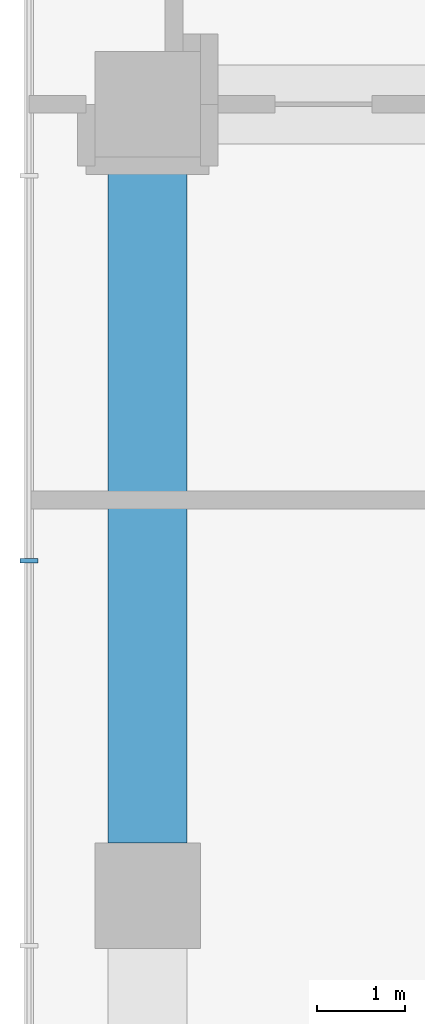
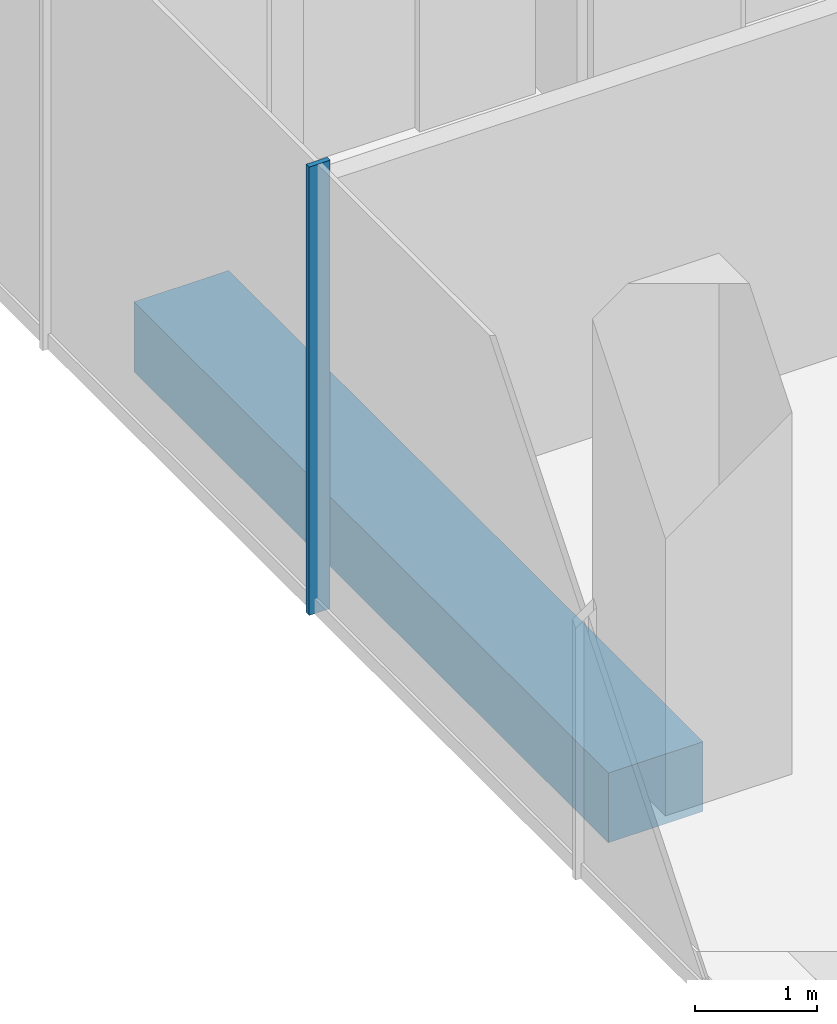
# One storey, part 8 of 43: 1 beam, 1 member, 1 element without a shape of its own.
"""IFC4 building model written with IfcOpenShell, lengths in metres."""

from ifc_helpers import new_model, si_unit, direction, frame, origin, origin_2d, place, context, subcontext, project, spatial, rectangle, extrude, material, layer, layer_set, material_profile, profile_set, type_object, element, aggregate, save


model = new_model("IFC4")

# Units and contexts
model_context = context("Model", 3, precision=1e-05, world=origin(), true_north=direction((0.0, 1.0)))
body_context = subcontext(model_context, "Body", "Model", "MODEL_VIEW")
ifc_project = project(units=[si_unit("LENGTHUNIT", "METRE"), si_unit("AREAUNIT", "SQUARE_METRE"), si_unit("VOLUMEUNIT", "CUBIC_METRE"), si_unit("PLANEANGLEUNIT", "RADIAN"), si_unit("MASSUNIT", "GRAM", prefix="KILO")], contexts=[model_context])

# Site, building, storey
site_placement = place(None, origin())
site = spatial("IfcSite", under=ifc_project, at=site_placement, CompositionType="ELEMENT")
building_placement = place(site_placement, origin())
building = spatial("IfcBuilding", under=site, at=building_placement, Name="Plateau Cross Towers", CompositionType="ELEMENT")
storey_placement = place(building_placement, frame((0.0, 0.0, 12.800048828125)))
storey = spatial("IfcBuildingStorey", under=building, at=storey_placement, Name="L02", CompositionType="ELEMENT", Elevation=12.800048828125)

# Curtain wall, member
ifc_material_1 = material(Name="Dark low-iron laminated glass", Category="glass")
ifc_layer = layer(ifc_material_1, 0.300048828125)
ifc_layer_set = layer_set([ifc_layer], Name="Dark low-iron laminated glass")
curtain_wall_type = type_object("IfcCurtainWallType", Name="Curtain wall structural silicone CW-C", PredefinedType="NOTDEFINED", material=ifc_layer_set)
curtain_wall_placement = place(storey_placement, origin())
curtain_wall = element("IfcCurtainWall", 1, at=curtain_wall_placement, inside=storey, type_object=curtain_wall_type, Name="ENV/P/L02/P-58_568", PredefinedType="NOTDEFINED")
ifc_material_2 = material(Name="Black anodised aluminium", Category="aluminium")
ifc_material_profile_1 = material_profile(ifc_material_2, rectangle(XDim=0.050048828125, YDim=0.199951171875, at=origin_2d()), Name="MULLION 50x200")
ifc_profile_set_1 = profile_set([ifc_material_profile_1], Name="Black anodised aluminium")
member_type = type_object("IfcMemberType", Name="Mullion 50x200 structural silicone", PredefinedType="MULLION", material=ifc_profile_set_1)
member_placement = place(storey_placement, frame((-5.85009765625, 21.81005859375, -0.35009765625), z_axis=(0.0, 0.0, 1.0), x_axis=(0.0, -1.0, 0.0)))
member = element("IfcMember", 2, at=member_placement, type_object=member_type, Name="CW-C mullion 9", PredefinedType="MULLION", context=body_context, shape_type="SweptSolid", body=[
    extrude(rectangle(XDim=0.050048828125, YDim=0.199951171875, at=origin_2d()), origin(), (0.0, 0.0, 1.0), 4.5),
])
aggregate(curtain_wall, [member])

# Beam
ifc_material_3 = material(Name="Concrete C50/60", Category="concrete")
ifc_material_profile_2 = material_profile(ifc_material_3, rectangle(XDim=0.89990234375, YDim=0.699951171875, at=origin_2d()), Name="RC 900x700")
ifc_profile_set_2 = profile_set([ifc_material_profile_2], Name="Concrete C50/60")
beam_type = type_object("IfcBeamType", Name="Podium band beam RC 900x700", PredefinedType="BEAM", material=ifc_profile_set_2)
beam_placement = place(storey_placement, frame((-4.5, 18.60009765625, -0.699951171875), z_axis=(0.0, 1.0, 0.0), x_axis=(-1.0, 0.0, 0.0)))
element("IfcBeam", 3, at=beam_placement, inside=storey, type_object=beam_type, Name="PB97@L02", PredefinedType="BEAM", context=body_context, shape_type="SweptSolid", body=[
    extrude(rectangle(XDim=0.89990234375, YDim=0.699951171875, at=origin_2d()), origin(), (0.0, 0.0, 1.0), 7.7998046875),
])

save(model, "model.ifc")
